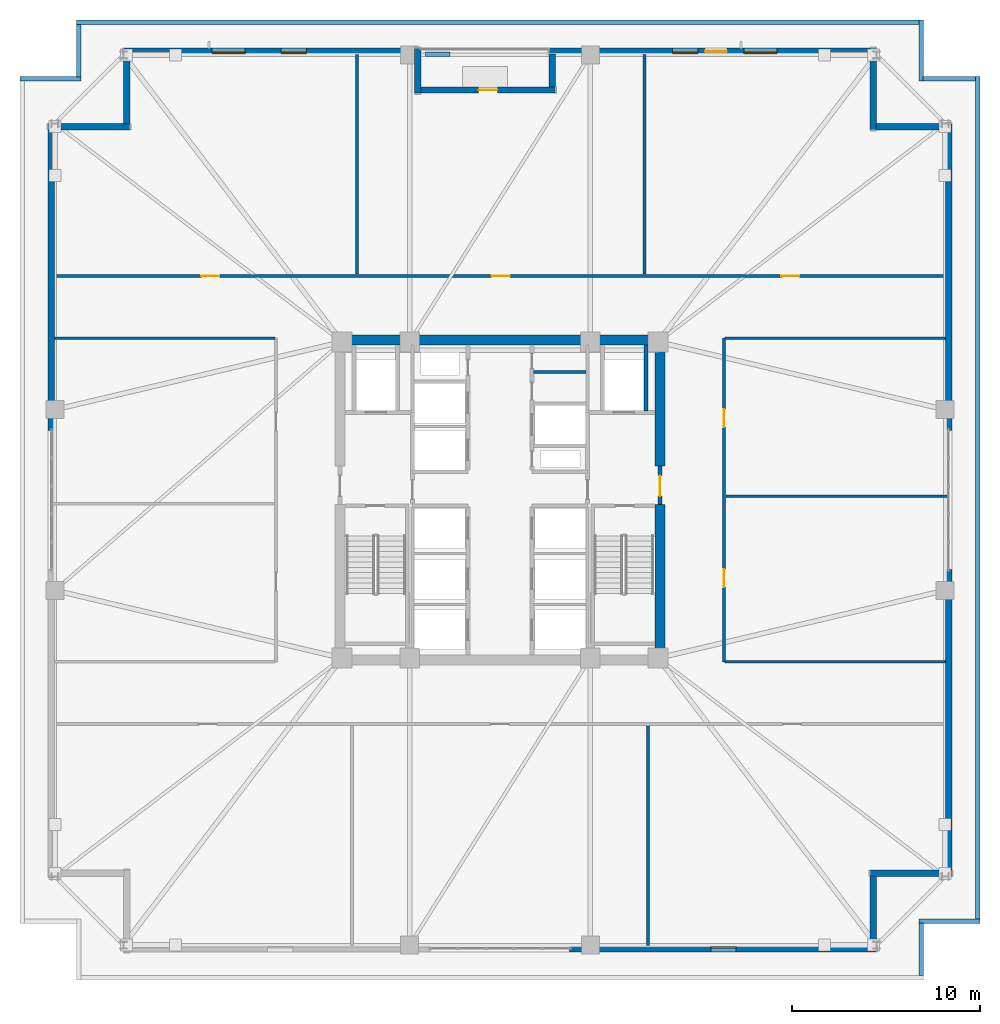
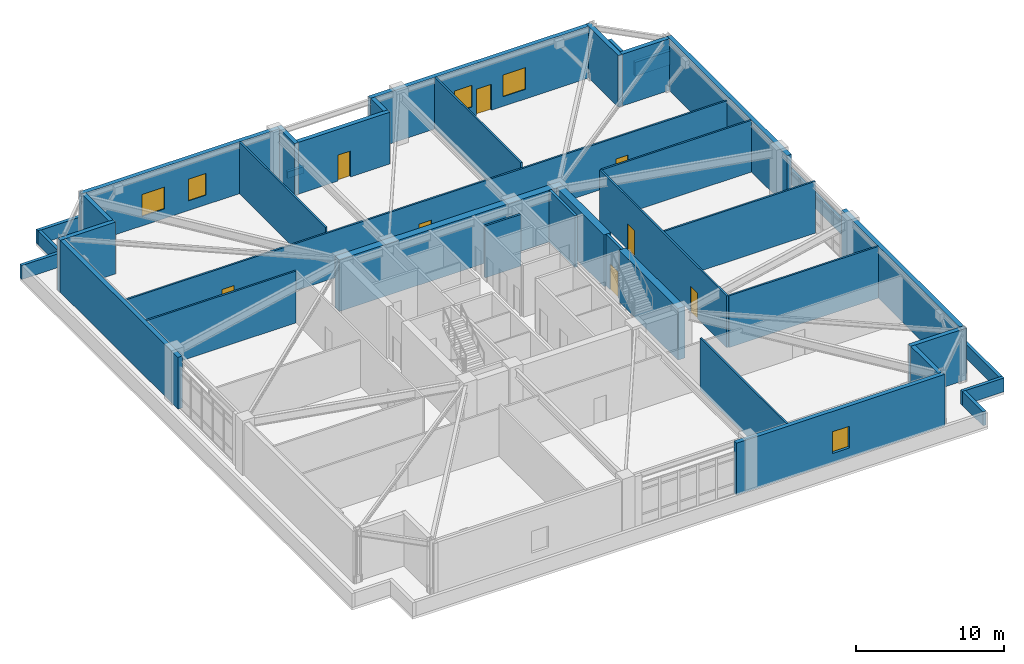
# One storey, part 8 of 13: 39 walls, 8 doors, 5 windows, 13 openings.
"""IFC4 building model written with IfcOpenShell, lengths in metres."""

from ifc_helpers import new_model, si_unit, direction, frame, frame_2d, origin, place, context, subcontext, project, spatial, rectangle, extrude, material, layer, layer_set, type_object, element, fill, save


model = new_model("IFC4")

# Units and contexts
model_context = context("Model", 3, precision=1e-05, world=origin(), true_north=direction((0.0, 1.0)))
body_context = subcontext(model_context, "Body", "Model", "MODEL_VIEW")
ifc_project = project(units=[si_unit("LENGTHUNIT", "METRE"), si_unit("AREAUNIT", "SQUARE_METRE"), si_unit("VOLUMEUNIT", "CUBIC_METRE"), si_unit("PLANEANGLEUNIT", "RADIAN"), si_unit("MASSUNIT", "GRAM", prefix="KILO")], contexts=[model_context])

# Site, building, storey
site_placement = place(None, origin())
site = spatial("IfcSite", under=ifc_project, at=site_placement, CompositionType="ELEMENT")
building_placement = place(site_placement, origin())
building = spatial("IfcBuilding", under=site, at=building_placement, Name="Cairnveth Concourse Tower", CompositionType="ELEMENT")
storey_placement = place(building_placement, frame((0.0, 0.0, 101.5)))
storey = spatial("IfcBuildingStorey", under=building, at=storey_placement, Name="L27", CompositionType="ELEMENT", Elevation=101.5)

# Walls
ifc_material_1 = material(Name="Gypsum Plasterboard Partition", Category="gypsum")
ifc_layer_1 = layer(ifc_material_1, 0.159912109375)
ifc_layer_set_1 = layer_set([ifc_layer_1], Name="Gypsum Plasterboard Partition")
wall_type_1 = type_object("IfcWallType", Name="ACOUSTIC PARTY WALL 180", PredefinedType="PARTITIONING", material=ifc_layer_set_1)
wall_1_placement = place(storey_placement, frame((53.784912109375, 45.800048828125, 0.0), z_axis=(0.0, 0.0, 1.0), x_axis=(1.0, 0.0, 0.0)))
element("IfcWall", 1, at=wall_1_placement, inside=storey, type_object=wall_type_1, Name="Interior Wall IW-L27-037", PredefinedType="PARTITIONING", context=body_context, shape_type="SweptSolid", body=[
    extrude(rectangle(XDim=2.7900390625, YDim=0.159912109375, at=frame_2d((1.39501953125, 0.0))), origin(), (0.0, 0.0, 1.0), 4.280029296875),
])
ifc_material_2 = material(Name="Concrete N80 (80 MPa)", Category="concrete")
ifc_layer_2 = layer(ifc_material_2, 0.550048828125)
ifc_layer_set_2 = layer_set([ifc_layer_2], Name="Concrete N80 (80 MPa)")
wall_type_2 = type_object("IfcWallType", Name="CORE SHEAR WALL 550", PredefinedType="SHEAR", material=ifc_layer_set_2)
wall_2_placement = place(storey_placement, frame((43.22509765625, 47.5, 0.0), z_axis=(0.0, 0.0, 1.0), x_axis=(1.0, 0.0, 0.0)))
element("IfcWall", 2, at=wall_2_placement, inside=storey, type_object=wall_type_2, Name="Core North Shear Wall L27", PredefinedType="SHEAR", context=body_context, shape_type="SweptSolid", body=[
    extrude(rectangle(XDim=17.5498046875, YDim=0.550048828125, at=frame_2d((8.77490234375, 0.0))), origin(), (0.0, 0.0, 1.0), 4.280029296875),
])
wall_3_placement = place(storey_placement, frame((60.5, 30.764892578125, 0.0), z_axis=(0.0, 0.0, 1.0), x_axis=(0.0, 1.0, 0.0)))
element("IfcWall", 3, at=wall_3_placement, inside=storey, type_object=wall_type_2, Name="Core East Shear Wall S L27", PredefinedType="SHEAR", context=body_context, shape_type="SweptSolid", body=[
    extrude(rectangle(XDim=7.985107421875, YDim=0.550048828125, at=frame_2d((3.99267578125, 0.0))), origin(), (0.0, 0.0, 1.0), 4.280029296875),
])
wall_4_placement = place(storey_placement, frame((60.5, 40.800048828125, 0.0), z_axis=(0.0, 0.0, 1.0), x_axis=(0.0, 1.0, 0.0)))
element("IfcWall", 4, at=wall_4_placement, inside=storey, type_object=wall_type_2, Name="Core East Shear Wall N L27", PredefinedType="SHEAR", context=body_context, shape_type="SweptSolid", body=[
    extrude(rectangle(XDim=6.43505859375, YDim=0.550048828125, at=frame_2d((3.217529296875, 0.0))), origin(), (0.0, 0.0, 1.0), 4.280029296875),
])

# Wall, opening, door
ifc_material_3 = material(Name="Concrete N50 (50 MPa)", Category="concrete")
ifc_layer_3 = layer(ifc_material_3, 0.199951171875)
ifc_layer_set_3 = layer_set([ifc_layer_3], Name="Concrete N50 (50 MPa)")
wall_type_3 = type_object("IfcWallType", Name="FIRE SHAFT WALL 200", PredefinedType="SOLIDWALL", material=ifc_layer_set_3)
wall_5_placement = place(storey_placement, frame((60.5, 38.75, 0.0), z_axis=(0.0, 0.0, 1.0), x_axis=(0.0, 1.0, 0.0)))
wall_5 = element("IfcWall", 5, at=wall_5_placement, inside=storey, type_object=wall_type_3, Name="Interior Wall IW-L27-020", PredefinedType="SOLIDWALL", context=body_context, shape_type="SweptSolid", body=[
    extrude(rectangle(XDim=2.050048828125, YDim=0.199951171875, at=frame_2d((1.02490234375, 0.0))), origin(), (0.0, 0.0, 1.0), 4.280029296875),
])
opening_1_placement = place(wall_5_placement, frame((0.449951171875, 0.0, 0.0)))
opening_1 = element("IfcOpeningElement", 6, at=opening_1_placement, cuts=wall_5, Name="Opening ID06", PredefinedType="OPENING", context=body_context, shape_type="SweptSolid", body=[
    extrude(rectangle(XDim=1.10009765625, YDim=2.14990234375, at=frame_2d((0.550048828125, 1.074951171875))), frame((0.0, 0.10986328125, 0.0), z_axis=(0.0, -1.0, 0.0), x_axis=(1.0, 0.0, 0.0)), (0.0, 0.0, 1.0), 0.219970703125),
])
ifc_material_4 = material(Name="Steel Grade 350", Category="steel")
door_type_1 = type_object("IfcDoorType", Name="FIRE CORRIDOR DOOR 1100X2150", OperationType="NOTDEFINED", PredefinedType="DOOR", material=ifc_material_4)
door_1_placement = place(opening_1_placement, origin())
door_1 = element("IfcDoor", 7, at=door_1_placement, inside=storey, type_object=door_type_1, Name="East Wing to FF Lobby Door L27", OperationType="SINGLE_SWING_RIGHT", OverallHeight=2.14990234375, OverallWidth=1.10009765625, PredefinedType="DOOR", context=body_context, shape_type="SweptSolid", body=[
    extrude(rectangle(XDim=1.10009765625, YDim=2.14990234375, at=frame_2d((0.550048828125, 1.074951171875))), frame((0.0, 0.02490234375, 0.0), z_axis=(0.0, -1.0, 0.0), x_axis=(1.0, 0.0, 0.0)), (0.0, 0.0, 1.0), 0.050048828125),
])
fill(opening_1, door_1)

# Wall
wall_6_placement = place(storey_placement, frame((59.75, 43.735107421875, 0.0), z_axis=(0.0, 0.0, 1.0), x_axis=(0.0, 1.0, 0.0)))
element("IfcWall", 8, at=wall_6_placement, inside=storey, type_object=wall_type_3, Name="Interior Wall IW-L27-024", PredefinedType="SOLIDWALL", context=body_context, shape_type="SweptSolid", body=[
    extrude(rectangle(XDim=3.5048828125, YDim=0.199951171875, at=frame_2d((1.75244140625, 0.0))), origin(), (0.0, 0.0, 1.0), 4.280029296875),
])

# Wall, openings, doors
ifc_layer_4 = layer(ifc_material_1, 0.139892578125)
ifc_layer_set_4 = layer_set([ifc_layer_4], Name="Gypsum Plasterboard Partition")
wall_type_4 = type_object("IfcWallType", Name="GYPSUM STUD PARTITION 140", PredefinedType="PARTITIONING", material=ifc_layer_set_4)
wall_7_placement = place(storey_placement, frame((28.324951171875, 50.89990234375, 0.0), z_axis=(0.0, 0.0, 1.0), x_axis=(1.0, 0.0, 0.0)))
wall_7 = element("IfcWall", 9, at=wall_7_placement, inside=storey, type_object=wall_type_4, Name="Interior Wall IW-L27-039", PredefinedType="PARTITIONING", context=body_context, shape_type="SweptSolid", body=[
    extrude(rectangle(XDim=47.35009765625, YDim=0.139892578125, at=frame_2d((23.675048828125, 0.0))), origin(), (0.0, 0.0, 1.0), 3.89599609375),
])
opening_2_placement = place(wall_7_placement, frame((7.804931640625, 0.0, 0.0)))
opening_2 = element("IfcOpeningElement", 10, at=opening_2_placement, cuts=wall_7, Name="Opening ID11", PredefinedType="OPENING", context=body_context, shape_type="SweptSolid", body=[
    extrude(rectangle(XDim=0.9599609375, YDim=2.1201171875, at=frame_2d((0.47998046875, 1.06005859375))), frame((0.0, 0.079833984375, 0.0), z_axis=(0.0, -1.0, 0.0), x_axis=(1.0, 0.0, 0.0)), (0.0, 0.0, 1.0), 0.159912109375),
])
opening_3_placement = place(wall_7_placement, frame((23.235107421875, 0.0, 0.0)))
opening_3 = element("IfcOpeningElement", 11, at=opening_3_placement, cuts=wall_7, Name="Opening ID11", PredefinedType="OPENING", context=body_context, shape_type="SweptSolid", body=[
    extrude(rectangle(XDim=0.9599609375, YDim=2.1201171875, at=frame_2d((0.47998046875, 1.06005859375))), frame((0.0, 0.079833984375, 0.0), z_axis=(0.0, -1.0, 0.0), x_axis=(1.0, 0.0, 0.0)), (0.0, 0.0, 1.0), 0.159912109375),
])
opening_4_placement = place(wall_7_placement, frame((38.625, 0.0, 0.0)))
opening_4 = element("IfcOpeningElement", 12, at=opening_4_placement, cuts=wall_7, Name="Opening ID11", PredefinedType="OPENING", context=body_context, shape_type="SweptSolid", body=[
    extrude(rectangle(XDim=0.9599609375, YDim=2.1201171875, at=frame_2d((0.47998046875, 1.06005859375))), frame((0.0, 0.079833984375, 0.0), z_axis=(0.0, -1.0, 0.0), x_axis=(1.0, 0.0, 0.0)), (0.0, 0.0, 1.0), 0.159912109375),
])
ifc_material_5 = material(Name="Solid Core Hardwood Timber Leaf", Category="wood")
door_type_2 = type_object("IfcDoorType", Name="INTERIOR SINGLE DOOR 960X2150", OperationType="NOTDEFINED", PredefinedType="DOOR", material=ifc_material_5)
door_2_placement = place(opening_2_placement, origin())
door_2 = element("IfcDoor", 13, at=door_2_placement, inside=storey, type_object=door_type_2, Name="Office Door L27-N1", OperationType="SINGLE_SWING_LEFT", OverallHeight=2.1201171875, OverallWidth=0.9599609375, PredefinedType="DOOR", context=body_context, shape_type="SweptSolid", body=[
    extrude(rectangle(XDim=0.9599609375, YDim=2.1201171875, at=frame_2d((0.47998046875, 1.06005859375))), frame((0.0, 0.02490234375, 0.0), z_axis=(0.0, -1.0, 0.0), x_axis=(1.0, 0.0, 0.0)), (0.0, 0.0, 1.0), 0.050048828125),
])
fill(opening_2, door_2)
door_3_placement = place(opening_3_placement, origin())
door_3 = element("IfcDoor", 14, at=door_3_placement, inside=storey, type_object=door_type_2, Name="Office Door L27-N2", OperationType="SINGLE_SWING_RIGHT", OverallHeight=2.1201171875, OverallWidth=0.9599609375, PredefinedType="DOOR", context=body_context, shape_type="SweptSolid", body=[
    extrude(rectangle(XDim=0.9599609375, YDim=2.1201171875, at=frame_2d((0.47998046875, 1.06005859375))), frame((0.0, 0.02490234375, 0.0), z_axis=(0.0, -1.0, 0.0), x_axis=(1.0, 0.0, 0.0)), (0.0, 0.0, 1.0), 0.050048828125),
])
fill(opening_3, door_3)
door_4_placement = place(opening_4_placement, origin())
door_4 = element("IfcDoor", 15, at=door_4_placement, inside=storey, type_object=door_type_2, Name="Office Door L27-N3", OperationType="SINGLE_SWING_LEFT", OverallHeight=2.1201171875, OverallWidth=0.9599609375, PredefinedType="DOOR", context=body_context, shape_type="SweptSolid", body=[
    extrude(rectangle(XDim=0.9599609375, YDim=2.1201171875, at=frame_2d((0.47998046875, 1.06005859375))), frame((0.0, 0.02490234375, 0.0), z_axis=(0.0, -1.0, 0.0), x_axis=(1.0, 0.0, 0.0)), (0.0, 0.0, 1.0), 0.050048828125),
])
fill(opening_4, door_4)

wall_8_placement = place(storey_placement, frame((63.89990234375, 30.39990234375, 0.0), z_axis=(0.0, 0.0, 1.0), x_axis=(0.0, 1.0, 0.0)))
wall_8 = element("IfcWall", 16, at=wall_8_placement, inside=storey, type_object=wall_type_4, Name="Interior Wall IW-L27-041", PredefinedType="PARTITIONING", context=body_context, shape_type="SweptSolid", body=[
    extrude(rectangle(XDim=17.2001953125, YDim=0.139892578125, at=frame_2d((8.60009765625, 0.0))), origin(), (0.0, 0.0, 1.0), 4.280029296875),
])
opening_5_placement = place(wall_8_placement, frame((3.967529296875, 0.0, 0.0)))
opening_5 = element("IfcOpeningElement", 17, at=opening_5_placement, cuts=wall_8, Name="Opening ID11", PredefinedType="OPENING", context=body_context, shape_type="SweptSolid", body=[
    extrude(rectangle(XDim=0.9599609375, YDim=2.1201171875, at=frame_2d((0.47998046875, 1.06005859375))), frame((0.0, 0.079833984375, 0.0), z_axis=(0.0, -1.0, 0.0), x_axis=(1.0, 0.0, 0.0)), (0.0, 0.0, 1.0), 0.159912109375),
])
opening_6_placement = place(wall_8_placement, frame((12.467529296875, 0.0, 0.0)))
opening_6 = element("IfcOpeningElement", 18, at=opening_6_placement, cuts=wall_8, Name="Opening ID11", PredefinedType="OPENING", context=body_context, shape_type="SweptSolid", body=[
    extrude(rectangle(XDim=0.9599609375, YDim=2.1201171875, at=frame_2d((0.47998046875, 1.06005859375))), frame((0.0, 0.079833984375, 0.0), z_axis=(0.0, -1.0, 0.0), x_axis=(1.0, 0.0, 0.0)), (0.0, 0.0, 1.0), 0.159912109375),
])
door_5_placement = place(opening_5_placement, origin())
door_5 = element("IfcDoor", 19, at=door_5_placement, inside=storey, type_object=door_type_2, Name="Office Door L27-E1", OperationType="SINGLE_SWING_RIGHT", OverallHeight=2.1201171875, OverallWidth=0.9599609375, PredefinedType="DOOR", context=body_context, shape_type="SweptSolid", body=[
    extrude(rectangle(XDim=0.9599609375, YDim=2.1201171875, at=frame_2d((0.47998046875, 1.06005859375))), frame((0.0, 0.02490234375, 0.0), z_axis=(0.0, -1.0, 0.0), x_axis=(1.0, 0.0, 0.0)), (0.0, 0.0, 1.0), 0.050048828125),
])
fill(opening_5, door_5)
door_6_placement = place(opening_6_placement, origin())
door_6 = element("IfcDoor", 20, at=door_6_placement, inside=storey, type_object=door_type_2, Name="Office Door L27-E2", OperationType="SINGLE_SWING_LEFT", OverallHeight=2.1201171875, OverallWidth=0.9599609375, PredefinedType="DOOR", context=body_context, shape_type="SweptSolid", body=[
    extrude(rectangle(XDim=0.9599609375, YDim=2.1201171875, at=frame_2d((0.47998046875, 1.06005859375))), frame((0.0, 0.02490234375, 0.0), z_axis=(0.0, -1.0, 0.0), x_axis=(1.0, 0.0, 0.0)), (0.0, 0.0, 1.0), 0.050048828125),
])
fill(opening_6, door_6)

# Walls
for number, where, z_axis, x_axis, name in (
    (21, (28.324951171875, 47.60009765625, 0.0), (0.0, 0.0, 1.0), (1.0, 0.0, 0.0), "Interior Wall IW-L27-043"),
    (22, (63.955078125, 30.39990234375, 0.0), (0.0, 0.0, 1.0), (1.0, 0.0, 0.0), "Interior Wall IW-L27-044"),
    (23, (63.955078125, 47.60009765625, 0.0), (0.0, 0.0, 1.0), (1.0, 0.0, 0.0), "Interior Wall IW-L27-045"),
):
    element("IfcWall", number, at=place(storey_placement, frame(where, z_axis=z_axis, x_axis=x_axis)), inside=storey, type_object=wall_type_4, Name=name, PredefinedType="PARTITIONING", context=body_context, shape_type="SweptSolid", body=[
        extrude(rectangle(XDim=11.719970703125, YDim=0.139892578125, at=frame_2d((5.85986328125, 0.0))), origin(), (0.0, 0.0, 1.0), 4.280029296875),
    ])
for number, where, z_axis, x_axis, name in (
    (24, (59.860107421875, 15.324951171875, 0.0), (0.0, 0.0, 1.0), (0.0, 1.0, 0.0), "Interior Wall IW-L27-047"),
    (25, (44.39990234375, 51.0, 0.0), (0.0, 0.0, 1.0), (0.0, 1.0, 0.0), "Interior Wall IW-L27-048"),
    (26, (59.679931640625, 51.0, 0.0), (0.0, 0.0, 1.0), (0.0, 1.0, 0.0), "Interior Wall IW-L27-049"),
):
    element("IfcWall", number, at=place(storey_placement, frame(where, z_axis=z_axis, x_axis=x_axis)), inside=storey, type_object=wall_type_4, Name=name, PredefinedType="PARTITIONING", context=body_context, shape_type="SweptSolid", body=[
        extrude(rectangle(XDim=11.675048828125, YDim=0.139892578125, at=frame_2d((5.83740234375, 0.0))), origin(), (0.0, 0.0, 1.0), 4.280029296875),
    ])
wall_9_placement = place(storey_placement, frame((64.0, 39.195068359375, 0.0), z_axis=(0.0, 0.0, 1.0), x_axis=(1.0, 0.0, 0.0)))
element("IfcWall", 27, at=wall_9_placement, inside=storey, type_object=wall_type_4, Name="Interior Wall IW-L27-051", PredefinedType="PARTITIONING", context=body_context, shape_type="SweptSolid", body=[
    extrude(rectangle(XDim=11.830078125, YDim=0.139892578125, at=frame_2d((5.9150390625, 0.0))), origin(), (0.0, 0.0, 1.0), 4.280029296875),
])
ifc_material_6 = material(Name="Hawthorn Red-Ochre Fired Clay Brick Masonry", Category="masonry")
ifc_layer_5 = layer(ifc_material_6, 0.25)
ifc_layer_set_5 = layer_set([ifc_layer_5], Name="Hawthorn Red-Ochre Fired Clay Brick Masonry")
wall_type_5 = type_object("IfcWallType", Name="ROOF MASONRY PARAPET WALL 250", PredefinedType="PARAPET", material=ifc_layer_set_5)
wall_10_placement = place(storey_placement, frame((26.5, 61.375, 0.0), z_axis=(0.0, 0.0, 1.0), x_axis=(1.0, 0.0, 0.0)))
element("IfcWall", 28, at=wall_10_placement, inside=storey, type_object=wall_type_5, Name="Exterior Wall EP-L27-SB03", PredefinedType="PARAPET", context=body_context, shape_type="SweptSolid", body=[
    extrude(rectangle(XDim=3.25, YDim=0.25, at=frame_2d((1.625, 0.0))), origin(), (0.0, 0.0, 1.0), 1.14990234375),
])
wall_11_placement = place(storey_placement, frame((29.625, 61.47802734375, 0.0), z_axis=(0.0, 0.0, 1.0), x_axis=(0.0, 1.0, 0.0)))
element("IfcWall", 29, at=wall_11_placement, inside=storey, type_object=wall_type_5, Name="Exterior Wall EP-L27-SB04", PredefinedType="PARAPET", context=body_context, shape_type="SweptSolid", body=[
    extrude(rectangle(XDim=2.7939453125, YDim=0.25, at=frame_2d((1.39697265625, 0.0))), origin(), (0.0, 0.0, 1.0), 1.14990234375),
])
wall_12_placement = place(storey_placement, frame((29.5, 64.375, 0.0), z_axis=(0.0, 0.0, 1.0), x_axis=(1.0, 0.0, 0.0)))
element("IfcWall", 30, at=wall_12_placement, inside=storey, type_object=wall_type_5, Name="Exterior Wall EP-L27-SB05", PredefinedType="PARAPET", context=body_context, shape_type="SweptSolid", body=[
    extrude(rectangle(XDim=44.77197265625, YDim=0.25, at=frame_2d((22.385986328125, 0.0))), origin(), (0.0, 0.0, 1.0), 1.14990234375),
])
wall_13_placement = place(storey_placement, frame((74.375, 64.5, 0.0), z_axis=(0.0, 0.0, 1.0), x_axis=(0.0, -1.0, 0.0)))
element("IfcWall", 31, at=wall_13_placement, inside=storey, type_object=wall_type_5, Name="Exterior Wall EP-L27-SB06", PredefinedType="PARAPET", context=body_context, shape_type="SweptSolid", body=[
    extrude(rectangle(XDim=3.25, YDim=0.25, at=frame_2d((1.625, 0.0))), origin(), (0.0, 0.0, 1.0), 1.14990234375),
])
wall_14_placement = place(storey_placement, frame((74.47802734375, 61.375, 0.0), z_axis=(0.0, 0.0, 1.0), x_axis=(1.0, 0.0, 0.0)))
element("IfcWall", 32, at=wall_14_placement, inside=storey, type_object=wall_type_5, Name="Exterior Wall EP-L27-SB07", PredefinedType="PARAPET", context=body_context, shape_type="SweptSolid", body=[
    extrude(rectangle(XDim=2.7939453125, YDim=0.25, at=frame_2d((1.39697265625, 0.0))), origin(), (0.0, 0.0, 1.0), 1.14990234375),
])
wall_15_placement = place(storey_placement, frame((77.375, 61.5, 0.0), z_axis=(0.0, 0.0, 1.0), x_axis=(0.0, -1.0, 0.0)))
element("IfcWall", 33, at=wall_15_placement, inside=storey, type_object=wall_type_5, Name="Exterior Wall EP-L27-SB08", PredefinedType="PARAPET", context=body_context, shape_type="SweptSolid", body=[
    extrude(rectangle(XDim=44.77197265625, YDim=0.25, at=frame_2d((22.385986328125, 0.0))), origin(), (0.0, 0.0, 1.0), 1.14990234375),
])
wall_16_placement = place(storey_placement, frame((77.5, 16.625, 0.0), z_axis=(0.0, 0.0, 1.0), x_axis=(-1.0, 0.0, 0.0)))
element("IfcWall", 34, at=wall_16_placement, inside=storey, type_object=wall_type_5, Name="Exterior Wall EP-L27-SB09", PredefinedType="PARAPET", context=body_context, shape_type="SweptSolid", body=[
    extrude(rectangle(XDim=3.25, YDim=0.25, at=frame_2d((1.625, 0.0))), origin(), (0.0, 0.0, 1.0), 1.14990234375),
])
wall_17_placement = place(storey_placement, frame((74.375, 16.52197265625, 0.0), z_axis=(0.0, 0.0, 1.0), x_axis=(0.0, -1.0, 0.0)))
element("IfcWall", 35, at=wall_17_placement, inside=storey, type_object=wall_type_5, Name="Exterior Wall EP-L27-SB10", PredefinedType="PARAPET", context=body_context, shape_type="SweptSolid", body=[
    extrude(rectangle(XDim=2.7939453125, YDim=0.25, at=frame_2d((1.39697265625, 0.0))), origin(), (0.0, 0.0, 1.0), 1.14990234375),
])
ifc_material_7 = material(Name="Dressed Melbourne Bluestone Cladding", Category="masonry")
ifc_layer_6 = layer(ifc_material_7, 0.219970703125)
ifc_layer_set_6 = layer_set([ifc_layer_6], Name="Dressed Melbourne Bluestone Cladding")
wall_type_6 = type_object("IfcWallType", Name="TERRACE PLANTER CURB WALL 220", PredefinedType="PARAPET", material=ifc_layer_set_6)
wall_18_placement = place(storey_placement, frame((48.050048828125, 62.679931640625, 0.0), z_axis=(0.0, 0.0, 1.0), x_axis=(1.0, 0.0, 0.0)))
element("IfcWall", 36, at=wall_18_placement, inside=storey, type_object=wall_type_6, Name="Exterior Wall PLNT-L27-TERR", PredefinedType="PARAPET", context=body_context, shape_type="SweptSolid", body=[
    extrude(rectangle(XDim=1.300048828125, YDim=0.219970703125, at=frame_2d((0.64990234375, 0.0))), origin(), (0.0, 0.0, 1.0), 0.550048828125),
])

# Wall, openings, windows, door
ifc_layer_7 = layer(ifc_material_6, 0.340087890625)
ifc_layer_set_7 = layer_set([ifc_layer_7], Name="Hawthorn Red-Ochre Fired Clay Brick Masonry")
wall_type_7 = type_object("IfcWallType", Name="ZONE 2 BRICK PIER SPANDREL WALL 340", PredefinedType="SOLIDWALL", material=ifc_layer_set_7)
wall_19_placement = place(storey_placement, frame((54.60009765625, 62.830078125, 0.0), z_axis=(0.0, 0.0, 1.0), x_axis=(1.0, 0.0, 0.0)))
wall_19 = element("IfcWall", 37, at=wall_19_placement, inside=storey, type_object=wall_type_7, Name="Exterior Wall EW-L27-S00", PredefinedType="SOLIDWALL", context=body_context, shape_type="SweptSolid", body=[
    extrude(rectangle(XDim=17.081787109375, YDim=0.340087890625, at=frame_2d((8.541015625, 0.0))), origin(), (0.0, 0.0, 1.0), 4.280029296875),
])
opening_7_placement = place(wall_19_placement, frame((6.56591796875, 0.0, 0.800048828125)))
opening_7 = element("IfcOpeningElement", 38, at=opening_7_placement, cuts=wall_19, Name="Opening W02", PredefinedType="OPENING", context=body_context, shape_type="SweptSolid", body=[
    extrude(rectangle(XDim=1.35009765625, YDim=1.800048828125, at=frame_2d((0.675048828125, 0.89990234375))), frame((0.0, 0.179931640625, 0.0), z_axis=(0.0, -1.0, 0.0), x_axis=(1.0, 0.0, 0.0)), (0.0, 0.0, 1.0), 0.360107421875),
])
opening_8_placement = place(wall_19_placement, frame((10.360107421875, 0.0, 0.800048828125)))
opening_8 = element("IfcOpeningElement", 39, at=opening_8_placement, cuts=wall_19, Name="Opening W06", PredefinedType="OPENING", context=body_context, shape_type="SweptSolid", body=[
    extrude(rectangle(XDim=1.75, YDim=1.800048828125, at=frame_2d((0.875, 0.89990234375))), frame((0.0, 0.179931640625, 0.0), z_axis=(0.0, -1.0, 0.0), x_axis=(1.0, 0.0, 0.0)), (0.0, 0.0, 1.0), 0.360107421875),
])
opening_9_placement = place(wall_19_placement, frame((8.300048828125, 0.0, 0.0)))
opening_9 = element("IfcOpeningElement", 40, at=opening_9_placement, cuts=wall_19, Name="Opening ED3", PredefinedType="OPENING", context=body_context, shape_type="SweptSolid", body=[
    extrude(rectangle(XDim=1.14990234375, YDim=2.14990234375, at=frame_2d((0.574951171875, 1.074951171875))), frame((0.0, 0.179931640625, 0.0), z_axis=(0.0, -1.0, 0.0), x_axis=(1.0, 0.0, 0.0)), (0.0, 0.0, 1.0), 0.360107421875),
])
ifc_material_8 = material(Name="Double Glazed Low-E Clear Glass", Category="glass")
window_type_1 = type_object("IfcWindowType", Name="DEEP-SET GOTHIC LANCET WINDOW 1350X1800", PartitioningType="DOUBLE_PANEL_VERTICAL", PredefinedType="WINDOW", material=ifc_material_8)
window_1_placement = place(opening_7_placement, origin())
window_1 = element("IfcWindow", 41, at=window_1_placement, inside=storey, type_object=window_type_1, Name="Gothic Lancet Window L27-0-2", OverallHeight=1.800048828125, OverallWidth=1.35009765625, PartitioningType="SINGLE_PANEL", PredefinedType="WINDOW", context=body_context, shape_type="SweptSolid", body=[
    extrude(rectangle(XDim=1.35009765625, YDim=1.800048828125, at=frame_2d((0.675048828125, 0.89990234375))), frame((0.0, -0.050048828125, 0.0), z_axis=(0.0, -1.0, 0.0), x_axis=(1.0, 0.0, 0.0)), (0.0, 0.0, 1.0), 0.06005859375),
])
fill(opening_7, window_1)
window_type_2 = type_object("IfcWindowType", Name="DEEP-SET HOTEL SUITE WINDOW 1750X1800", PartitioningType="DOUBLE_PANEL_VERTICAL", PredefinedType="WINDOW", material=ifc_material_8)
window_2_placement = place(opening_8_placement, origin())
window_2 = element("IfcWindow", 42, at=window_2_placement, inside=storey, type_object=window_type_2, Name="Gothic Lancet Window L27-0-3", OverallHeight=1.800048828125, OverallWidth=1.75, PartitioningType="SINGLE_PANEL", PredefinedType="WINDOW", context=body_context, shape_type="SweptSolid", body=[
    extrude(rectangle(XDim=1.75, YDim=1.800048828125, at=frame_2d((0.875, 0.89990234375))), frame((0.0, -0.050048828125, 0.0), z_axis=(0.0, -1.0, 0.0), x_axis=(1.0, 0.0, 0.0)), (0.0, 0.0, 1.0), 0.06005859375),
])
fill(opening_8, window_2)
ifc_material_9 = material(Name="Architectural Bronze Anodised Aluminium 6063-T6", Category="aluminium")
door_type_3 = type_object("IfcDoorType", Name="FINAL EXIT DISCHARGE DOOR 1150X2150", OperationType="NOTDEFINED", PredefinedType="DOOR", material=ifc_material_9)
door_7_placement = place(opening_9_placement, origin())
door_7 = element("IfcDoor", 43, at=door_7_placement, inside=storey, type_object=door_type_3, Name="Setback Roof Maintenance Access Door L27", OperationType="SINGLE_SWING_LEFT", OverallHeight=2.14990234375, OverallWidth=1.14990234375, PredefinedType="DOOR", context=body_context, shape_type="SweptSolid", body=[
    extrude(rectangle(XDim=1.14990234375, YDim=2.14990234375, at=frame_2d((0.574951171875, 1.074951171875))), frame((0.0, 0.02490234375, 0.0), z_axis=(0.0, -1.0, 0.0), x_axis=(1.0, 0.0, 0.0)), (0.0, 0.0, 1.0), 0.050048828125),
])
fill(opening_9, door_7)

# Walls
wall_20_placement = place(storey_placement, frame((71.830078125, 63.0, 0.0), z_axis=(0.0, 0.0, 1.0), x_axis=(0.0, -1.0, 0.0)))
element("IfcWall", 44, at=wall_20_placement, inside=storey, type_object=wall_type_7, Name="Exterior Wall EW-L27-S01", PredefinedType="SOLIDWALL", context=body_context, shape_type="SweptSolid", body=[
    extrude(rectangle(XDim=4.340087890625, YDim=0.340087890625, at=frame_2d((2.169921875, 0.0))), origin(), (0.0, 0.0, 1.0), 4.280029296875),
])
wall_21_placement = place(storey_placement, frame((71.97802734375, 58.830078125, 0.0), z_axis=(0.0, 0.0, 1.0), x_axis=(1.0, 0.0, 0.0)))
element("IfcWall", 45, at=wall_21_placement, inside=storey, type_object=wall_type_7, Name="Exterior Wall EW-L27-S02", PredefinedType="SOLIDWALL", context=body_context, shape_type="SweptSolid", body=[
    extrude(rectangle(XDim=3.703857421875, YDim=0.340087890625, at=frame_2d((1.85205078125, 0.0))), origin(), (0.0, 0.0, 1.0), 4.280029296875),
])
wall_22_placement = place(storey_placement, frame((75.830078125, 59.0, 0.0), z_axis=(0.0, 0.0, 1.0), x_axis=(0.0, -1.0, 0.0)))
element("IfcWall", 46, at=wall_22_placement, inside=storey, type_object=wall_type_7, Name="Exterior Wall EW-L27-S3A", PredefinedType="SOLIDWALL", context=body_context, shape_type="SweptSolid", body=[
    extrude(rectangle(XDim=16.300048828125, YDim=0.340087890625, at=frame_2d((8.14990234375, 0.0))), origin(), (0.0, 0.0, 1.0), 4.280029296875),
])
wall_23_placement = place(storey_placement, frame((75.830078125, 35.300048828125, 0.0), z_axis=(0.0, 0.0, 1.0), x_axis=(0.0, -1.0, 0.0)))
element("IfcWall", 47, at=wall_23_placement, inside=storey, type_object=wall_type_7, Name="Exterior Wall EW-L27-S3B", PredefinedType="SOLIDWALL", context=body_context, shape_type="SweptSolid", body=[
    extrude(rectangle(XDim=15.98193359375, YDim=0.340087890625, at=frame_2d((7.990966796875, 0.0))), origin(), (0.0, 0.0, 1.0), 4.280029296875),
])
wall_24_placement = place(storey_placement, frame((76.0, 19.169921875, 0.0), z_axis=(0.0, 0.0, 1.0), x_axis=(-1.0, 0.0, 0.0)))
element("IfcWall", 48, at=wall_24_placement, inside=storey, type_object=wall_type_7, Name="Exterior Wall EW-L27-S04", PredefinedType="SOLIDWALL", context=body_context, shape_type="SweptSolid", body=[
    extrude(rectangle(XDim=4.340087890625, YDim=0.340087890625, at=frame_2d((2.169921875, 0.0))), origin(), (0.0, 0.0, 1.0), 4.280029296875),
])
wall_25_placement = place(storey_placement, frame((71.830078125, 19.02197265625, 0.0), z_axis=(0.0, 0.0, 1.0), x_axis=(0.0, -1.0, 0.0)))
element("IfcWall", 49, at=wall_25_placement, inside=storey, type_object=wall_type_7, Name="Exterior Wall EW-L27-S05", PredefinedType="SOLIDWALL", context=body_context, shape_type="SweptSolid", body=[
    extrude(rectangle(XDim=3.703857421875, YDim=0.340087890625, at=frame_2d((1.85205078125, 0.0))), origin(), (0.0, 0.0, 1.0), 4.280029296875),
])

# Wall, opening, window
wall_26_placement = place(storey_placement, frame((72.0, 15.169921875, 0.0), z_axis=(0.0, 0.0, 1.0), x_axis=(-1.0, 0.0, 0.0)))
wall_26 = element("IfcWall", 50, at=wall_26_placement, inside=storey, type_object=wall_type_7, Name="Exterior Wall EW-L27-S6A", PredefinedType="SOLIDWALL", context=body_context, shape_type="SweptSolid", body=[
    extrude(rectangle(XDim=16.300048828125, YDim=0.340087890625, at=frame_2d((8.14990234375, 0.0))), origin(), (0.0, 0.0, 1.0), 4.280029296875),
])
opening_10_placement = place(wall_26_placement, frame((7.449951171875, 0.0, 0.800048828125)))
opening_10 = element("IfcOpeningElement", 51, at=opening_10_placement, cuts=wall_26, Name="Opening W02", PredefinedType="OPENING", context=body_context, shape_type="SweptSolid", body=[
    extrude(rectangle(XDim=1.35009765625, YDim=1.800048828125, at=frame_2d((0.675048828125, 0.89990234375))), frame((0.0, 0.179931640625, 0.0), z_axis=(0.0, -1.0, 0.0), x_axis=(1.0, 0.0, 0.0)), (0.0, 0.0, 1.0), 0.360107421875),
])
window_3_placement = place(opening_10_placement, origin())
window_3 = element("IfcWindow", 52, at=window_3_placement, inside=storey, type_object=window_type_1, Name="WIN-L27-S6-A", OverallHeight=1.800048828125, OverallWidth=1.35009765625, PartitioningType="SINGLE_PANEL", PredefinedType="WINDOW", context=body_context, shape_type="SweptSolid", body=[
    extrude(rectangle(XDim=1.35009765625, YDim=1.800048828125, at=frame_2d((0.675048828125, 0.89990234375))), frame((0.0, -0.0400390625, 0.0), z_axis=(0.0, -1.0, 0.0), x_axis=(1.0, 0.0, 0.0)), (0.0, 0.0, 1.0), 0.06005859375),
])
fill(opening_10, window_3)

# Walls
wall_27_placement = place(storey_placement, frame((28.169921875, 42.699951171875, 0.0), z_axis=(0.0, 0.0, 1.0), x_axis=(0.0, 1.0, 0.0)))
element("IfcWall", 53, at=wall_27_placement, inside=storey, type_object=wall_type_7, Name="Exterior Wall EW-L27-S9B", PredefinedType="SOLIDWALL", context=body_context, shape_type="SweptSolid", body=[
    extrude(rectangle(XDim=15.98193359375, YDim=0.340087890625, at=frame_2d((7.990966796875, 0.0))), origin(), (0.0, 0.0, 1.0), 4.280029296875),
])
wall_28_placement = place(storey_placement, frame((28.0, 58.830078125, 0.0), z_axis=(0.0, 0.0, 1.0), x_axis=(1.0, 0.0, 0.0)))
element("IfcWall", 54, at=wall_28_placement, inside=storey, type_object=wall_type_7, Name="Exterior Wall EW-L27-S10", PredefinedType="SOLIDWALL", context=body_context, shape_type="SweptSolid", body=[
    extrude(rectangle(XDim=4.340087890625, YDim=0.340087890625, at=frame_2d((2.169921875, 0.0))), origin(), (0.0, 0.0, 1.0), 4.280029296875),
])
wall_29_placement = place(storey_placement, frame((32.169921875, 58.97802734375, 0.0), z_axis=(0.0, 0.0, 1.0), x_axis=(0.0, 1.0, 0.0)))
element("IfcWall", 55, at=wall_29_placement, inside=storey, type_object=wall_type_7, Name="Exterior Wall EW-L27-S11", PredefinedType="SOLIDWALL", context=body_context, shape_type="SweptSolid", body=[
    extrude(rectangle(XDim=3.703857421875, YDim=0.340087890625, at=frame_2d((1.85205078125, 0.0))), origin(), (0.0, 0.0, 1.0), 4.280029296875),
])

# Wall, openings, windows
wall_30_placement = place(storey_placement, frame((32.0, 62.830078125, 0.0), z_axis=(0.0, 0.0, 1.0), x_axis=(1.0, 0.0, 0.0)))
wall_30 = element("IfcWall", 56, at=wall_30_placement, inside=storey, type_object=wall_type_7, Name="Exterior Wall EW-L27-S12", PredefinedType="SOLIDWALL", context=body_context, shape_type="SweptSolid", body=[
    extrude(rectangle(XDim=15.48193359375, YDim=0.340087890625, at=frame_2d((7.740966796875, 0.0))), origin(), (0.0, 0.0, 1.0), 4.280029296875),
])
opening_11_placement = place(wall_30_placement, frame((4.705322265625, 0.0, 0.800048828125)))
opening_11 = element("IfcOpeningElement", 57, at=opening_11_placement, cuts=wall_30, Name="Opening W06", PredefinedType="OPENING", context=body_context, shape_type="SweptSolid", body=[
    extrude(rectangle(XDim=1.75, YDim=1.800048828125, at=frame_2d((0.875, 0.89990234375))), frame((0.0, 0.179931640625, 0.0), z_axis=(0.0, -1.0, 0.0), x_axis=(1.0, 0.0, 0.0)), (0.0, 0.0, 1.0), 0.360107421875),
])
opening_12_placement = place(wall_30_placement, frame((8.365966796875, 0.0, 0.800048828125)))
opening_12 = element("IfcOpeningElement", 58, at=opening_12_placement, cuts=wall_30, Name="Opening W02", PredefinedType="OPENING", context=body_context, shape_type="SweptSolid", body=[
    extrude(rectangle(XDim=1.35009765625, YDim=1.800048828125, at=frame_2d((0.675048828125, 0.89990234375))), frame((0.0, 0.179931640625, 0.0), z_axis=(0.0, -1.0, 0.0), x_axis=(1.0, 0.0, 0.0)), (0.0, 0.0, 1.0), 0.360107421875),
])
window_4_placement = place(opening_12_placement, origin())
window_4 = element("IfcWindow", 59, at=window_4_placement, inside=storey, type_object=window_type_1, Name="Gothic Lancet Window L27-12-2", OverallHeight=1.800048828125, OverallWidth=1.35009765625, PartitioningType="SINGLE_PANEL", PredefinedType="WINDOW", context=body_context, shape_type="SweptSolid", body=[
    extrude(rectangle(XDim=1.35009765625, YDim=1.800048828125, at=frame_2d((0.675048828125, 0.89990234375))), frame((0.0, -0.050048828125, 0.0), z_axis=(0.0, -1.0, 0.0), x_axis=(1.0, 0.0, 0.0)), (0.0, 0.0, 1.0), 0.06005859375),
])
fill(opening_12, window_4)
window_5_placement = place(opening_11_placement, origin())
window_5 = element("IfcWindow", 60, at=window_5_placement, inside=storey, type_object=window_type_2, Name="Gothic Lancet Window L27-12-1", OverallHeight=1.800048828125, OverallWidth=1.75, PartitioningType="SINGLE_PANEL", PredefinedType="WINDOW", context=body_context, shape_type="SweptSolid", body=[
    extrude(rectangle(XDim=1.75, YDim=1.800048828125, at=frame_2d((0.875, 0.89990234375))), frame((0.0, -0.050048828125, 0.0), z_axis=(0.0, -1.0, 0.0), x_axis=(1.0, 0.0, 0.0)), (0.0, 0.0, 1.0), 0.06005859375),
])
fill(opening_11, window_5)

# Wall
wall_31_placement = place(storey_placement, frame((47.6298828125, 63.0, 0.0), z_axis=(0.0, 0.0, 1.0), x_axis=(0.0, -1.0, 0.0)))
element("IfcWall", 61, at=wall_31_placement, inside=storey, type_object=wall_type_7, Name="Exterior Wall EW-L27-S13", PredefinedType="SOLIDWALL", context=body_context, shape_type="SweptSolid", body=[
    extrude(rectangle(XDim=2.389892578125, YDim=0.340087890625, at=frame_2d((1.19482421875, 0.0))), origin(), (0.0, 0.0, 1.0), 4.280029296875),
])

# Wall, opening, door
wall_32_placement = place(storey_placement, frame((47.778076171875, 60.780029296875, 0.0), z_axis=(0.0, 0.0, 1.0), x_axis=(1.0, 0.0, 0.0)))
wall_32 = element("IfcWall", 62, at=wall_32_placement, inside=storey, type_object=wall_type_7, Name="Exterior Wall EW-L27-S14", PredefinedType="SOLIDWALL", context=body_context, shape_type="SweptSolid", body=[
    extrude(rectangle(XDim=7.161865234375, YDim=0.340087890625, at=frame_2d((3.5810546875, 0.0))), origin(), (0.0, 0.0, 1.0), 4.280029296875),
])
opening_13_placement = place(wall_32_placement, frame((3.0810546875, 0.0, 0.0)))
opening_13 = element("IfcOpeningElement", 63, at=opening_13_placement, cuts=wall_32, Name="Opening ED4", PredefinedType="OPENING", context=body_context, shape_type="SweptSolid", body=[
    extrude(rectangle(XDim=1.0, YDim=2.14990234375, at=frame_2d((0.5, 1.074951171875))), frame((0.0, 0.179931640625, 0.0), z_axis=(0.0, -1.0, 0.0), x_axis=(1.0, 0.0, 0.0)), (0.0, 0.0, 1.0), 0.360107421875),
])
door_type_4 = type_object("IfcDoorType", Name="TERRACE GLAZED DOOR 1000X2150", OperationType="NOTDEFINED", PredefinedType="DOOR", material=ifc_material_9)
door_8_placement = place(opening_13_placement, origin())
door_8 = element("IfcDoor", 64, at=door_8_placement, inside=storey, type_object=door_type_4, Name="Spiral Terrace Door L27", OperationType="SINGLE_SWING_RIGHT", OverallHeight=2.14990234375, OverallWidth=1.0, PredefinedType="DOOR", context=body_context, shape_type="SweptSolid", body=[
    extrude(rectangle(XDim=1.0, YDim=2.14990234375, at=frame_2d((0.5, 1.074951171875))), frame((0.0, 0.02490234375, 0.0), z_axis=(0.0, -1.0, 0.0), x_axis=(1.0, 0.0, 0.0)), (0.0, 0.0, 1.0), 0.050048828125),
])
fill(opening_13, door_8)

# Wall
wall_33_placement = place(storey_placement, frame((54.77001953125, 60.927978515625, 0.0), z_axis=(0.0, 0.0, 1.0), x_axis=(0.0, 1.0, 0.0)))
element("IfcWall", 65, at=wall_33_placement, inside=storey, type_object=wall_type_7, Name="Exterior Wall EW-L27-S15", PredefinedType="SOLIDWALL", context=body_context, shape_type="SweptSolid", body=[
    extrude(rectangle(XDim=1.75390625, YDim=0.340087890625, at=frame_2d((0.876953125, 0.0))), origin(), (0.0, 0.0, 1.0), 4.280029296875),
])

save(model, "model.ifc")
